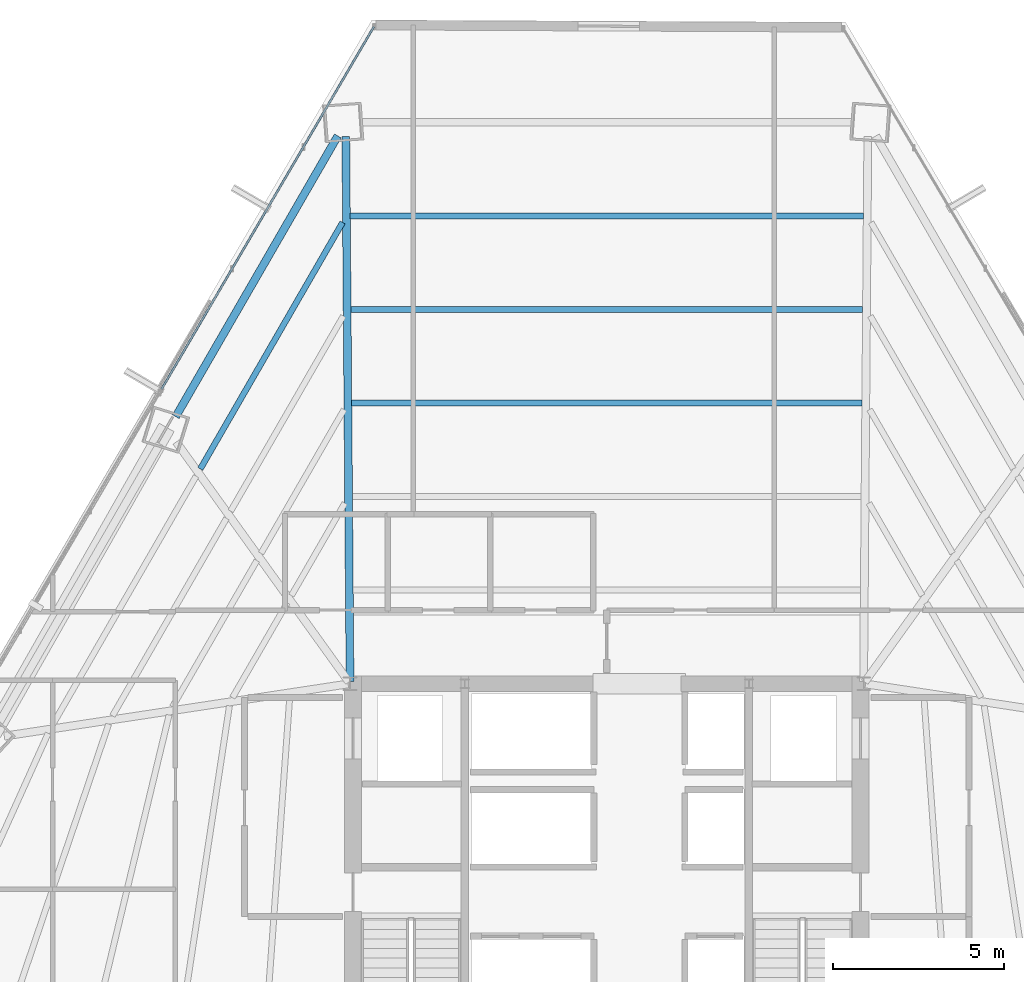
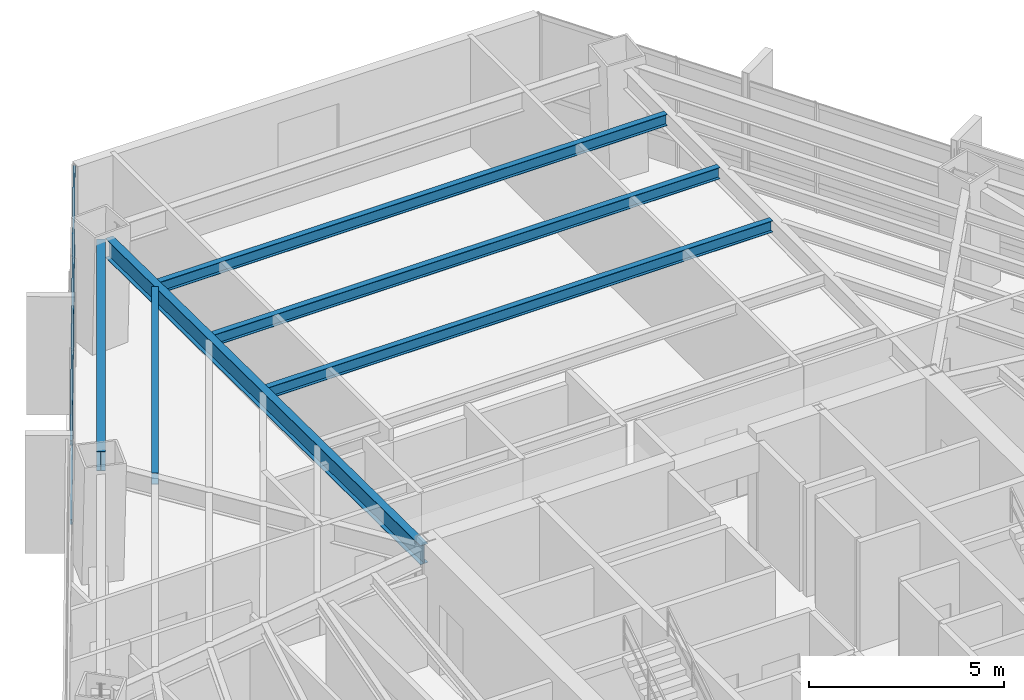
# One storey, part 25 of 35: 6 beams, 2 members, 1 element without a shape of its own.
"""IFC4 building model written with IfcOpenShell, lengths in metres."""

from ifc_helpers import new_model, si_unit, direction, frame, origin, origin_2d, place, context, subcontext, project, spatial, hollow_rectangle, i_section, extrude, source, transform, mapped, material, material_profile, profile_set, type_object, type_shapes, element, aggregate, save


model = new_model("IFC4")

# Units and contexts
model_context = context("Model", 3, precision=1e-05, world=origin(), true_north=direction((0.0, 1.0)))
body_context = subcontext(model_context, "Body", "Model", "MODEL_VIEW")
ifc_project = project(units=[si_unit("LENGTHUNIT", "METRE"), si_unit("AREAUNIT", "SQUARE_METRE"), si_unit("VOLUMEUNIT", "CUBIC_METRE"), si_unit("PLANEANGLEUNIT", "RADIAN"), si_unit("MASSUNIT", "GRAM", prefix="KILO")], contexts=[model_context])

# Site, building, storey
site_placement = place(None, origin())
site = spatial("IfcSite", under=ifc_project, at=site_placement, CompositionType="ELEMENT")
building_placement = place(site_placement, origin())
building = spatial("IfcBuilding", under=site, at=building_placement, Name="Caelisora Broadcast Tower", CompositionType="ELEMENT")
storey_placement = place(building_placement, frame((0.0, 0.0, 94.449951171875)))
storey = spatial("IfcBuildingStorey", under=building, at=storey_placement, Name="L24", CompositionType="ELEMENT", Elevation=94.449951171875)

# Beams
ifc_material_1 = material(Name="Steel Grade 350 (AS/NZS 3679.1)", Category="steel")
ifc_material_profile_1 = material_profile(ifc_material_1, i_section(OverallWidth=0.172119140625, OverallDepth=0.358642578125, WebThickness=0.008056640625, FlangeThickness=0.012939453125, at=origin_2d()), Name="Steel Grade 350 (AS/NZS 3679.1)")
ifc_profile_set_1 = profile_set([ifc_material_profile_1], Name="Steel Grade 350 (AS/NZS 3679.1)")
beam_type_1 = type_object("IfcBeamType", Name="SB02", PredefinedType="JOIST", material=ifc_profile_set_1)
shared_shape_1 = source(origin(), body_context, "Body", "SweptSolid", [
    extrude(i_section(OverallWidth=0.172119140625, OverallDepth=0.358642578125, WebThickness=0.008056640625, FlangeThickness=0.012939453125, at=origin_2d()), origin(), (0.0, 0.0, 1.0), 8.3125),
])
beam_1_placement = place(storey_placement, frame((30.28271484375, 43.47119140625, 3.220703125), z_axis=(-0.499970760378, -0.86604228463, 0.0), x_axis=(0.86604228463, -0.499970760378, 0.0)))
element("IfcBeam", 1, at=beam_1_placement, inside=storey, type_object=beam_type_1, Name="L24 beam SB02", PredefinedType="JOIST", context=body_context, shape_type="MappedRepresentation", body=[
    mapped(shared_shape_1, transform((0.0, 0.0, 0.0), scale=1.0)),
])
ifc_material_profile_2 = material_profile(ifc_material_1, i_section(OverallWidth=0.22900390625, OverallDepth=0.611572265625, WebThickness=0.011962890625, FlangeThickness=0.01953125, at=origin_2d()), Name="Steel Grade 350 (AS/NZS 3679.1)")
ifc_profile_set_2 = profile_set([ifc_material_profile_2], Name="Steel Grade 350 (AS/NZS 3679.1)")
beam_type_2 = type_object("IfcBeamType", Name="PG03", PredefinedType="BEAM", material=ifc_profile_set_2)
shared_shape_2 = source(origin(), body_context, "Body", "SweptSolid", [
    extrude(i_section(OverallWidth=0.22900390625, OverallDepth=0.611572265625, WebThickness=0.011962890625, FlangeThickness=0.01953125, at=origin_2d()), origin(), (0.0, 0.0, 1.0), 9.4677734375),
])
type_shapes(beam_type_2, [shared_shape_2])
beam_2_placement = place(storey_placement, frame((30.142578125, 45.997802734375, 3.09423828125), z_axis=(-0.499994028088, -0.866028851642, 0.0), x_axis=(0.866028851642, -0.499994028088, 0.0)))
element("IfcBeam", 2, at=beam_2_placement, inside=storey, type_object=beam_type_2, Name="L24 beam PG03", PredefinedType="BEAM", context=body_context, shape_type="MappedRepresentation", body=[
    mapped(shared_shape_2, transform((0.0, 0.0, 0.0), scale=1.0)),
])
ifc_material_profile_3 = material_profile(ifc_material_1, i_section(OverallWidth=0.22802734375, OverallDepth=0.602294921875, WebThickness=0.010498046875, FlangeThickness=0.014892578125, at=origin_2d()), Name="Steel Grade 350 (AS/NZS 3679.1)")
ifc_profile_set_3 = profile_set([ifc_material_profile_3], Name="Steel Grade 350 (AS/NZS 3679.1)")
beam_type_3 = type_object("IfcBeamType", Name="PG04", PredefinedType="BEAM", material=ifc_profile_set_3)
shared_shape_3 = source(origin(), body_context, "Body", "SweptSolid", [
    extrude(i_section(OverallWidth=0.22802734375, OverallDepth=0.602294921875, WebThickness=0.010498046875, FlangeThickness=0.014892578125, at=origin_2d()), origin(), (0.0, 0.0, 1.0), 15.91650390625),
])
type_shapes(beam_type_3, [shared_shape_3])
beam_3_placement = place(storey_placement, frame((30.49951171875, 30.06005859375, 3.098876953125), z_axis=(-0.007761454764, 0.999969879456, 0.0), x_axis=(-0.999969879456, -0.007761454764, 0.0)))
element("IfcBeam", 3, at=beam_3_placement, inside=storey, type_object=beam_type_3, Name="L24 beam PG04", PredefinedType="BEAM", context=body_context, shape_type="MappedRepresentation", body=[
    mapped(shared_shape_3, transform((0.0, 0.0, 0.0), scale=1.0)),
])
shared_shape_4 = source(origin(), body_context, "Body", "SweptSolid", [
    extrude(i_section(OverallWidth=0.172119140625, OverallDepth=0.358642578125, WebThickness=0.008056640625, FlangeThickness=0.012939453125, at=origin_2d()), origin(), (0.0, 0.0, 1.0), 14.9052734375),
])
beam_4_placement = place(storey_placement, frame((45.45263671875, 38.197998046875, 3.220703125), z_axis=(-1.0, 0.0, 0.0), x_axis=(0.0, -1.0, 0.0)))
element("IfcBeam", 4, at=beam_4_placement, inside=storey, type_object=beam_type_1, Name="L24 beam SB02", PredefinedType="JOIST", context=body_context, shape_type="MappedRepresentation", body=[
    mapped(shared_shape_4, transform((0.0, 0.0, 0.0), scale=1.0)),
])
shared_shape_5 = source(origin(), body_context, "Body", "SweptSolid", [
    extrude(i_section(OverallWidth=0.172119140625, OverallDepth=0.358642578125, WebThickness=0.008056640625, FlangeThickness=0.012939453125, at=origin_2d()), origin(), (0.0, 0.0, 1.0), 14.94775390625),
])
beam_5_placement = place(storey_placement, frame((45.473876953125, 40.9306640625, 3.220703125), z_axis=(-1.0, 0.0, 0.0), x_axis=(0.0, -1.0, 0.0)))
element("IfcBeam", 5, at=beam_5_placement, inside=storey, type_object=beam_type_1, Name="L24 beam SB02", PredefinedType="JOIST", context=body_context, shape_type="MappedRepresentation", body=[
    mapped(shared_shape_5, transform((0.0, 0.0, 0.0), scale=1.0)),
])
shared_shape_6 = source(origin(), body_context, "Body", "SweptSolid", [
    extrude(i_section(OverallWidth=0.172119140625, OverallDepth=0.358642578125, WebThickness=0.008056640625, FlangeThickness=0.012939453125, at=origin_2d()), origin(), (0.0, 0.0, 1.0), 14.990234375),
])
type_shapes(beam_type_1, [shared_shape_1, shared_shape_4, shared_shape_5, shared_shape_6])
beam_6_placement = place(storey_placement, frame((45.4951171875, 43.663330078125, 3.220703125), z_axis=(-1.0, 0.0, 0.0), x_axis=(0.0, -1.0, 0.0)))
element("IfcBeam", 6, at=beam_6_placement, inside=storey, type_object=beam_type_1, Name="L24 beam SB02", PredefinedType="JOIST", context=body_context, shape_type="MappedRepresentation", body=[
    mapped(shared_shape_6, transform((0.0, 0.0, 0.0), scale=1.0)),
])

# Curtain wall, members
ifc_material_2 = material(Name="Unitised Aluminium and Low-E Glass Curtain Wall", Category="glass")
curtain_wall_type = type_object("IfcCurtainWallType", Name="CW-Z2", PredefinedType="NOTDEFINED", material=ifc_material_2)
curtain_wall_placement = place(storey_placement, origin())
curtain_wall = element("IfcCurtainWall", 7, at=curtain_wall_placement, inside=storey, type_object=curtain_wall_type, Name="L24 curtain wall CW-Z2", PredefinedType="NOTDEFINED")
ifc_material_3 = material(Name="Aluminium 6063-T6 Anodised Terracotta Bronze", Category="aluminium")
ifc_material_profile_4 = material_profile(ifc_material_3, hollow_rectangle(XDim=0.06005859375, YDim=0.14990234375, WallThickness=0.00341796875, at=origin_2d()), Name="Aluminium 6063-T6 Anodised Terracotta Bronze")
ifc_profile_set_4 = profile_set([ifc_material_profile_4], Name="Aluminium 6063-T6 Anodised Terracotta Bronze")
member_type = type_object("IfcMemberType", Name="CWT-02", PredefinedType="USERDEFINED", material=ifc_profile_set_4)
shared_shape_7 = source(origin(), body_context, "Body", "SweptSolid", [
    extrude(hollow_rectangle(XDim=0.06005859375, YDim=0.14990234375, WallThickness=0.00341796875, at=origin_2d()), origin(), (0.0, 0.0, 1.0), 12.2783203125),
])
type_shapes(member_type, [shared_shape_7])
member_1_placement = place(storey_placement, frame((24.99169921875, 38.596435546875, 0.85009765625), z_axis=(0.505446467909, 0.862857965182, 0.0), x_axis=(-0.862857965182, 0.505446467909, 0.0)))
member_1 = element("IfcMember", 8, at=member_1_placement, type_object=member_type, Name="L24-CW-B11 transom #1", ObjectType="TRANSOM", PredefinedType="USERDEFINED", context=body_context, shape_type="MappedRepresentation", body=[
    mapped(shared_shape_7, transform((0.0, 0.0, 0.0), scale=1.0)),
])
member_2_placement = place(storey_placement, frame((24.99169921875, 38.596435546875, 3.320068359375), z_axis=(0.505446467909, 0.862857965182, 0.0), x_axis=(-0.862857965182, 0.505446467909, 0.0)))
member_2 = element("IfcMember", 9, at=member_2_placement, type_object=member_type, Name="L24-CW-B11 transom #2", ObjectType="TRANSOM", PredefinedType="USERDEFINED", context=body_context, shape_type="MappedRepresentation", body=[
    mapped(shared_shape_7, transform((0.0, 0.0, 0.0), scale=1.0)),
])
aggregate(curtain_wall, [member_1, member_2])

save(model, "model.ifc")
